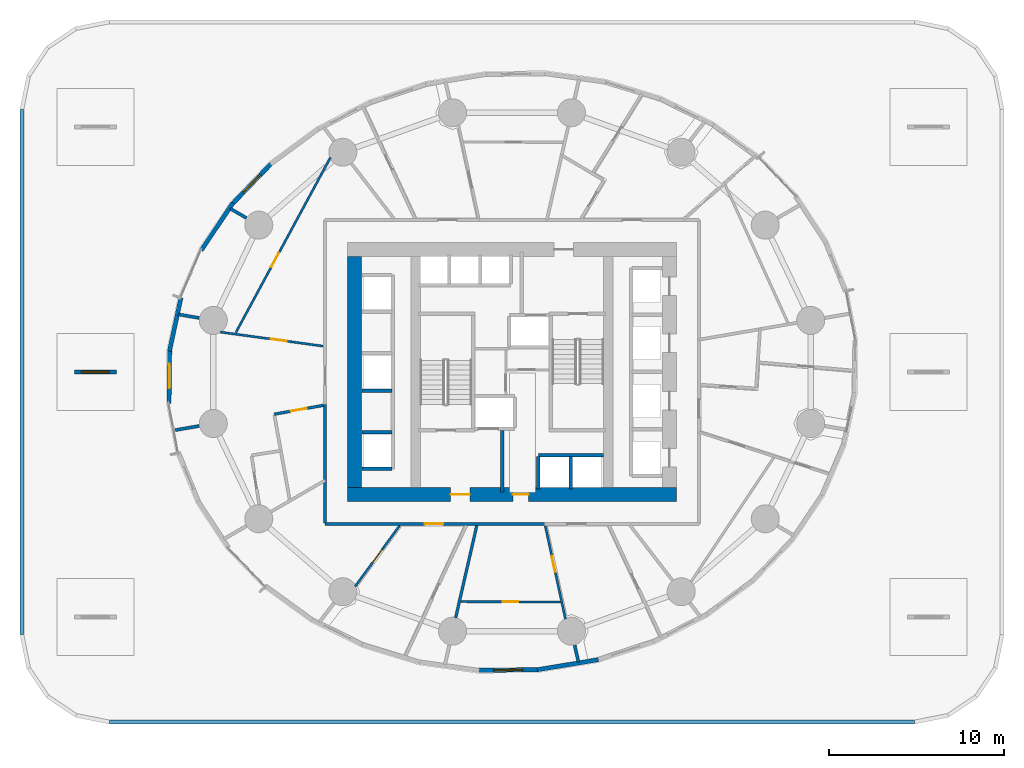
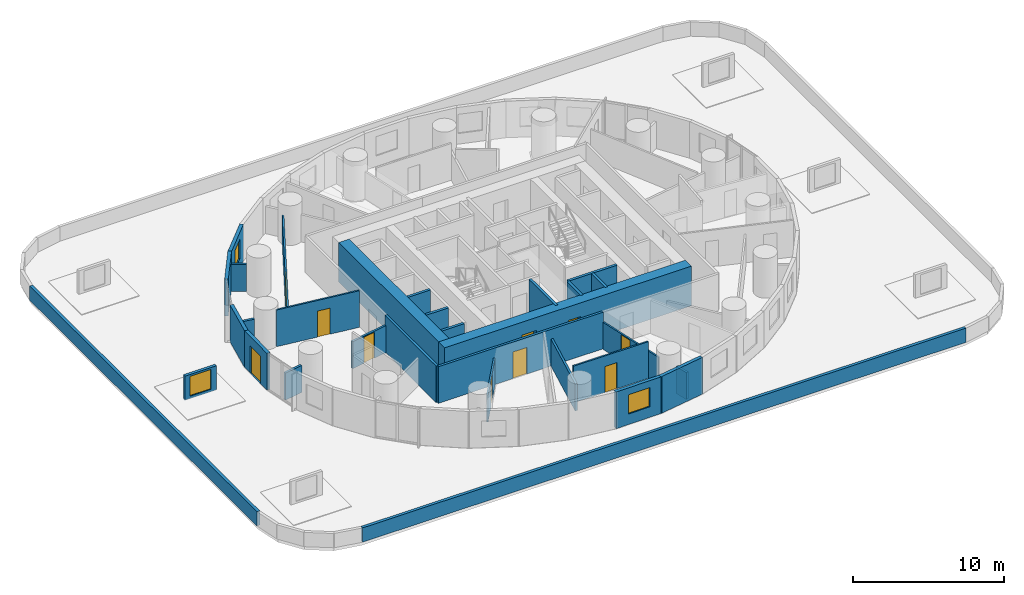
# One storey, part 6 of 12: 31 walls, 10 doors, 3 windows, 13 openings.
"""IFC4 building model written with IfcOpenShell, lengths in metres."""

from ifc_helpers import new_model, si_unit, direction, frame, frame_2d, origin, place, context, subcontext, project, spatial, rectangle, extrude, material, layer, layer_set, type_object, element, fill, save


model = new_model("IFC4")

# Units and contexts
model_context = context("Model", 3, precision=1e-05, world=origin(), true_north=direction((0.0, 1.0)))
body_context = subcontext(model_context, "Body", "Model", "MODEL_VIEW")
ifc_project = project(units=[si_unit("LENGTHUNIT", "METRE"), si_unit("AREAUNIT", "SQUARE_METRE"), si_unit("VOLUMEUNIT", "CUBIC_METRE"), si_unit("PLANEANGLEUNIT", "RADIAN"), si_unit("MASSUNIT", "GRAM", prefix="KILO")], contexts=[model_context])

# Site, building, storey
site_placement = place(None, origin())
site = spatial("IfcSite", under=ifc_project, at=site_placement, CompositionType="ELEMENT")
building_placement = place(site_placement, origin())
building = spatial("IfcBuilding", under=site, at=building_placement, Name="Veldorim Arch Residences", CompositionType="ELEMENT")
storey_placement = place(building_placement, frame((0.0, 0.0, 24.800048828125)))
storey = spatial("IfcBuildingStorey", under=building, at=storey_placement, Name="L06", CompositionType="ELEMENT", Elevation=24.800048828125)

# Wall, opening, door
ifc_material_1 = material(Name="Acoustic Gypsum Board", Category="gypsum")
ifc_layer_1 = layer(ifc_material_1, 0.125, Name="Acoustic Stud Room Partition Wall 125")
ifc_layer_set_1 = layer_set([ifc_layer_1], Name="Acoustic Gypsum Board")
wall_type_1 = type_object("IfcWallType", Name="Acoustic Stud Room Partition Wall 125", PredefinedType="PARTITIONING", material=ifc_layer_set_1)
wall_1_placement = place(storey_placement, frame((23.03759765625, 11.747314453125, 0.0), z_axis=(0.0, 0.0, 1.0), x_axis=(0.590387510638, 0.807119933642, 0.0)))
wall_1 = element("IfcWall", 1, at=wall_1_placement, inside=storey, type_object=wall_type_1, Name="L06 interior wall WL-RES-L06-009", PredefinedType="PARTITIONING", context=body_context, shape_type="SweptSolid", body=[
    extrude(rectangle(XDim=4.306396484375, YDim=0.125, at=frame_2d((2.1533203125, 0.0))), origin(), (0.0, 0.0, 1.0), 2.17822265625),
])
opening_1_placement = place(wall_1_placement, frame((1.703125, 0.0, 0.0)))
opening_1 = element("IfcOpeningElement", 2, at=opening_1_placement, cuts=wall_1, Name="Opening DR-INT", PredefinedType="OPENING", context=body_context, shape_type="SweptSolid", body=[
    extrude(rectangle(XDim=0.89990234375, YDim=2.10009765625, at=frame_2d((0.449951171875, 1.050048828125))), frame((0.0, 0.072509765625, 0.0), z_axis=(0.0, -1.0, 0.0), x_axis=(1.0, 0.0, 0.0)), (0.0, 0.0, 1.0), 0.14501953125),
])
ifc_material_2 = material(Name="Engineered Timber", Category="wood")
door_type_1 = type_object("IfcDoorType", Name="Apartment Internal Room Timber Door 900x2100", OperationType="SINGLE_SWING_LEFT", PredefinedType="DOOR", material=ifc_material_2)
door_1_placement = place(opening_1_placement, origin())
door_1 = element("IfcDoor", 3, at=door_1_placement, inside=storey, type_object=door_type_1, Name="L06 interior door DR-RES-L06-003", OperationType="SINGLE_SWING_LEFT", OverallHeight=2.10009765625, OverallWidth=0.89990234375, PredefinedType="DOOR", context=body_context, shape_type="SweptSolid", body=[
    extrude(rectangle(XDim=0.89990234375, YDim=2.10009765625, at=frame_2d((0.449951171875, 1.050048828125))), frame((0.0, 0.02490234375, 0.0), z_axis=(0.0, -1.0, 0.0), x_axis=(1.0, 0.0, 0.0)), (0.0, 0.0, 1.0), 0.050048828125),
])
fill(opening_1, door_1)

wall_2_placement = place(storey_placement, frame((35.05419921875, 9.879150390625, 0.0), z_axis=(0.0, 0.0, 1.0), x_axis=(-0.211435796324, 0.977391888667, 0.0)))
wall_2 = element("IfcWall", 4, at=wall_2_placement, inside=storey, type_object=wall_type_1, Name="L06 interior wall WL-RES-L06-013", PredefinedType="PARTITIONING", context=body_context, shape_type="SweptSolid", body=[
    extrude(rectangle(XDim=5.446533203125, YDim=0.125, at=frame_2d((2.72314453125, 0.0))), origin(), (0.0, 0.0, 1.0), 2.17822265625),
])
opening_2_placement = place(wall_2_placement, frame((2.76171875, 0.0, 0.0)))
opening_2 = element("IfcOpeningElement", 5, at=opening_2_placement, cuts=wall_2, Name="Opening DR-INT", PredefinedType="OPENING", context=body_context, shape_type="SweptSolid", body=[
    extrude(rectangle(XDim=0.89990234375, YDim=2.10009765625, at=frame_2d((0.449951171875, 1.050048828125))), frame((0.0, 0.072509765625, 0.0), z_axis=(0.0, -1.0, 0.0), x_axis=(1.0, 0.0, 0.0)), (0.0, 0.0, 1.0), 0.14501953125),
])
door_2_placement = place(opening_2_placement, origin())
door_2 = element("IfcDoor", 6, at=door_2_placement, inside=storey, type_object=door_type_1, Name="L06 interior door DR-RES-L06-006", OperationType="SINGLE_SWING_RIGHT", OverallHeight=2.10009765625, OverallWidth=0.89990234375, PredefinedType="DOOR", context=body_context, shape_type="SweptSolid", body=[
    extrude(rectangle(XDim=0.89990234375, YDim=2.10009765625, at=frame_2d((0.449951171875, 1.050048828125))), frame((0.0, 0.02490234375, 0.0), z_axis=(0.0, -1.0, 0.0), x_axis=(1.0, 0.0, 0.0)), (0.0, 0.0, 1.0), 0.050048828125),
])
fill(opening_2, door_2)

wall_3_placement = place(storey_placement, frame((34.763427734375, 10.853515625, 0.0), z_axis=(0.0, 0.0, 1.0), x_axis=(-0.999989854874, 0.004504458806, 0.0)))
wall_3 = element("IfcWall", 7, at=wall_3_placement, inside=storey, type_object=wall_type_1, Name="L06 interior wall WL-RES-L06-015", PredefinedType="PARTITIONING", context=body_context, shape_type="SweptSolid", body=[
    extrude(rectangle(XDim=5.69091796875, YDim=0.125, at=frame_2d((2.845458984375, 0.0))), origin(), (0.0, 0.0, 1.0), 2.954833984375),
])
opening_3_placement = place(wall_3_placement, frame((2.3955078125, 0.0, 0.0)))
opening_3 = element("IfcOpeningElement", 8, at=opening_3_placement, cuts=wall_3, Name="Opening DR-INT", PredefinedType="OPENING", context=body_context, shape_type="SweptSolid", body=[
    extrude(rectangle(XDim=0.89990234375, YDim=2.10009765625, at=frame_2d((0.449951171875, 1.050048828125))), frame((0.0, 0.072509765625, 0.0), z_axis=(0.0, -1.0, 0.0), x_axis=(1.0, 0.0, 0.0)), (0.0, 0.0, 1.0), 0.14501953125),
])
door_3_placement = place(opening_3_placement, origin())
door_3 = element("IfcDoor", 9, at=door_3_placement, inside=storey, type_object=door_type_1, Name="L06 interior door DR-RES-L06-007", OperationType="SINGLE_SWING_LEFT", OverallHeight=2.10009765625, OverallWidth=0.89990234375, PredefinedType="DOOR", context=body_context, shape_type="SweptSolid", body=[
    extrude(rectangle(XDim=0.89990234375, YDim=2.10009765625, at=frame_2d((0.449951171875, 1.050048828125))), frame((0.0, 0.02490234375, 0.0), z_axis=(0.0, -1.0, 0.0), x_axis=(1.0, 0.0, 0.0)), (0.0, 0.0, 1.0), 0.050048828125),
])
fill(opening_3, door_3)

wall_4_placement = place(storey_placement, frame((15.330322265625, 26.280029296875, 0.0), z_axis=(0.0, 0.0, 1.0), x_axis=(0.990775681502, -0.135512172681, 0.0)))
wall_4 = element("IfcWall", 10, at=wall_4_placement, inside=storey, type_object=wall_type_1, Name="L06 interior wall WL-RES-L06-034", PredefinedType="PARTITIONING", context=body_context, shape_type="SweptSolid", body=[
    extrude(rectangle(XDim=5.925537109375, YDim=0.125, at=frame_2d((2.962890625, 0.0))), origin(), (0.0, 0.0, 1.0), 2.954833984375),
])
opening_4_placement = place(wall_4_placement, frame((2.928955078125, 0.0, 0.0)))
opening_4 = element("IfcOpeningElement", 11, at=opening_4_placement, cuts=wall_4, Name="Opening DR-INT", PredefinedType="OPENING", context=body_context, shape_type="SweptSolid", body=[
    extrude(rectangle(XDim=0.89990234375, YDim=2.10009765625, at=frame_2d((0.449951171875, 1.050048828125))), frame((0.0, 0.072509765625, 0.0), z_axis=(0.0, -1.0, 0.0), x_axis=(1.0, 0.0, 0.0)), (0.0, 0.0, 1.0), 0.14501953125),
])
door_4_placement = place(opening_4_placement, origin())
door_4 = element("IfcDoor", 12, at=door_4_placement, inside=storey, type_object=door_type_1, Name="L06 interior door DR-RES-L06-024", OperationType="SINGLE_SWING_RIGHT", OverallHeight=2.10009765625, OverallWidth=0.89990234375, PredefinedType="DOOR", context=body_context, shape_type="SweptSolid", body=[
    extrude(rectangle(XDim=0.89990234375, YDim=2.10009765625, at=frame_2d((0.449951171875, 1.050048828125))), frame((0.0, 0.02490234375, 0.0), z_axis=(0.0, -1.0, 0.0), x_axis=(1.0, 0.0, 0.0)), (0.0, 0.0, 1.0), 0.050048828125),
])
fill(opening_4, door_4)

wall_5_placement = place(storey_placement, frame((16.22216796875, 26.25244140625, 0.0), z_axis=(0.0, 0.0, 1.0), x_axis=(0.475374660533, 0.879783457519, 0.0)))
wall_5 = element("IfcWall", 13, at=wall_5_placement, inside=storey, type_object=wall_type_1, Name="L06 interior wall WL-RES-L06-037", PredefinedType="PARTITIONING", context=body_context, shape_type="SweptSolid", body=[
    extrude(rectangle(XDim=11.3701171875, YDim=0.125, at=frame_2d((5.68505859375, 0.0))), origin(), (0.0, 0.0, 1.0), 2.32763671875),
])
opening_5_placement = place(wall_5_placement, frame((4.2548828125, 0.0, 0.0)))
opening_5 = element("IfcOpeningElement", 14, at=opening_5_placement, cuts=wall_5, Name="Opening DR-INT", PredefinedType="OPENING", context=body_context, shape_type="SweptSolid", body=[
    extrude(rectangle(XDim=0.89990234375, YDim=2.10009765625, at=frame_2d((0.449951171875, 1.050048828125))), frame((0.0, 0.072509765625, 0.0), z_axis=(0.0, -1.0, 0.0), x_axis=(1.0, 0.0, 0.0)), (0.0, 0.0, 1.0), 0.14501953125),
])
door_5_placement = place(opening_5_placement, origin())
door_5 = element("IfcDoor", 15, at=door_5_placement, inside=storey, type_object=door_type_1, Name="L06 interior door DR-RES-L06-025", OperationType="SINGLE_SWING_LEFT", OverallHeight=2.10009765625, OverallWidth=0.89990234375, PredefinedType="DOOR", context=body_context, shape_type="SweptSolid", body=[
    extrude(rectangle(XDim=0.89990234375, YDim=2.10009765625, at=frame_2d((0.449951171875, 1.050048828125))), frame((0.0, 0.02490234375, 0.0), z_axis=(0.0, -1.0, 0.0), x_axis=(1.0, 0.0, 0.0)), (0.0, 0.0, 1.0), 0.050048828125),
])
fill(opening_5, door_5)

# Walls
ifc_material_3 = material(Name="Lightweight Masonry Block & Gypsum", Category="masonry")
ifc_layer_2 = layer(ifc_material_3, 0.179931640625, Name="Compartment & Corridor Fire-Rated Party Wall 180")
ifc_layer_set_2 = layer_set([ifc_layer_2], Name="Lightweight Masonry Block & Gypsum")
wall_type_2 = type_object("IfcWallType", Name="Compartment & Corridor Fire-Rated Party Wall 180", PredefinedType="PARTITIONING", material=ifc_layer_set_2)
wall_6_placement = place(storey_placement, frame((16.822998046875, 32.80029296875, 0.0), z_axis=(0.0, 0.0, 1.0), x_axis=(-0.865001274409, 0.501769663562, 0.0)))
element("IfcWall", 16, at=wall_6_placement, inside=storey, type_object=wall_type_2, Name="L06 interior wall WL-PIER-L06-07", PredefinedType="PARTITIONING", context=body_context, shape_type="SweptSolid", body=[
    extrude(rectangle(XDim=1.062744140625, YDim=0.179931640625, at=frame_2d((0.53125, 0.0))), origin(), (0.0, 0.0, 1.0), 2.17822265625),
])
wall_7_placement = place(storey_placement, frame((14.126220703125, 27.08544921875, 0.0), z_axis=(0.0, 0.0, 1.0), x_axis=(-0.985412344637, 0.170183756676, 0.0)))
element("IfcWall", 17, at=wall_7_placement, inside=storey, type_object=wall_type_2, Name="L06 interior wall WL-PIER-L06-08", PredefinedType="PARTITIONING", context=body_context, shape_type="SweptSolid", body=[
    extrude(rectangle(XDim=1.210693359375, YDim=0.179931640625, at=frame_2d((0.60546875, 0.0))), origin(), (0.0, 0.0, 1.0), 2.17822265625),
])
wall_8_placement = place(storey_placement, frame((14.126220703125, 20.91455078125, 0.0), z_axis=(0.0, 0.0, 1.0), x_axis=(-0.985429571056, -0.170083980696, 0.0)))
element("IfcWall", 18, at=wall_8_placement, inside=storey, type_object=wall_type_2, Name="L06 interior wall WL-PIER-L06-09", PredefinedType="PARTITIONING", context=body_context, shape_type="SweptSolid", body=[
    extrude(rectangle(XDim=1.38525390625, YDim=0.179931640625, at=frame_2d((0.692626953125, 0.0))), origin(), (0.0, 0.0, 1.0), 2.17822265625),
])
wall_9_placement = place(storey_placement, frame((35.577880859375, 8.390869140625, 0.0), z_axis=(0.0, 0.0, 1.0), x_axis=(0.223200215289, -0.974772621638, 0.0)))
element("IfcWall", 19, at=wall_9_placement, inside=storey, type_object=wall_type_2, Name="L06 interior wall WL-PIER-L06-13", PredefinedType="PARTITIONING", context=body_context, shape_type="SweptSolid", body=[
    extrude(rectangle(XDim=0.98876953125, YDim=0.179931640625, at=frame_2d((0.494384765625, 0.0))), origin(), (0.0, 0.0, 1.0), 2.17822265625),
])

# Wall, opening, door
wall_10_placement = place(storey_placement, frame((33.897705078125, 15.320068359375, 0.0), z_axis=(0.0, 0.0, 1.0), x_axis=(-1.0, 0.0, 0.0)))
wall_10 = element("IfcWall", 20, at=wall_10_placement, inside=storey, type_object=wall_type_2, Name="L06 interior wall WL-RES-L06-001", PredefinedType="PARTITIONING", context=body_context, shape_type="SweptSolid", body=[
    extrude(rectangle(XDim=12.57763671875, YDim=0.179931640625, at=frame_2d((6.288818359375, 0.0))), origin(), (0.0, 0.0, 1.0), 2.954833984375),
])
opening_6_placement = place(wall_10_placement, frame((5.83349609375, 0.0, 0.0)))
opening_6 = element("IfcOpeningElement", 21, at=opening_6_placement, cuts=wall_10, Name="Opening DR-FLT", PredefinedType="OPENING", context=body_context, shape_type="SweptSolid", body=[
    extrude(rectangle(XDim=1.050048828125, YDim=2.14990234375, at=frame_2d((0.52490234375, 1.074951171875))), frame((0.0, 0.099853515625, 0.0), z_axis=(0.0, -1.0, 0.0), x_axis=(1.0, 0.0, 0.0)), (0.0, 0.0, 1.0), 0.199951171875),
])
ifc_material_4 = material(Name="Fire-Rated Timber", Category="wood")
door_type_2 = type_object("IfcDoorType", Name="Apartment Entrance Solid-Core Fire Door 1050x2150", OperationType="SINGLE_SWING_LEFT", PredefinedType="DOOR", material=ifc_material_4)
door_6_placement = place(opening_6_placement, origin())
door_6 = element("IfcDoor", 22, at=door_6_placement, inside=storey, type_object=door_type_2, Name="L06 interior door DR-RES-L06-001", OperationType="SINGLE_SWING_LEFT", OverallHeight=2.14990234375, OverallWidth=1.050048828125, PredefinedType="DOOR", context=body_context, shape_type="SweptSolid", body=[
    extrude(rectangle(XDim=1.050048828125, YDim=2.14990234375, at=frame_2d((0.52490234375, 1.074951171875))), frame((0.0, 0.02490234375, 0.0), z_axis=(0.0, -1.0, 0.0), x_axis=(1.0, 0.0, 0.0)), (0.0, 0.0, 1.0), 0.050048828125),
])
fill(opening_6, door_6)

# Walls
wall_11_placement = place(storey_placement, frame((21.320068359375, 15.3798828125, 0.0), z_axis=(0.0, 0.0, 1.0), x_axis=(0.0, 1.0, 0.0)))
element("IfcWall", 23, at=wall_11_placement, inside=storey, type_object=wall_type_2, Name="L06 interior wall WL-RES-L06-002", PredefinedType="PARTITIONING", context=body_context, shape_type="SweptSolid", body=[
    extrude(rectangle(XDim=6.74853515625, YDim=0.179931640625, at=frame_2d((3.374267578125, 0.0))), origin(), (0.0, 0.0, 1.0), 2.954833984375),
])
ifc_material_5 = material(Name="Concrete C50/60", Category="concrete")
ifc_layer_3 = layer(ifc_material_5, 0.199951171875, Name="Core Stair & Lift Shaft Enclosure Wall 200")
ifc_layer_set_3 = layer_set([ifc_layer_3], Name="Concrete C50/60")
wall_type_3 = type_object("IfcWallType", Name="Core Stair & Lift Shaft Enclosure Wall 200", PredefinedType="SHEAR", material=ifc_layer_set_3)
wall_12_placement = place(storey_placement, frame((31.449951171875, 17.14990234375, 0.0), z_axis=(0.0, 0.0, 1.0), x_axis=(0.0, 1.0, 0.0)))
element("IfcWall", 24, at=wall_12_placement, inside=storey, type_object=wall_type_3, Name="L06 shaft wall WL-FFL1-L06-E", PredefinedType="SHEAR", context=body_context, shape_type="SweptSolid", body=[
    extrude(rectangle(XDim=3.5, YDim=0.199951171875, at=frame_2d((1.75, 0.0))), origin(), (0.0, 0.0, 1.0), 3.199951171875),
])
for number, where, z_axis, x_axis, name in (
    (25, (23.419921875, 18.4599609375, 0.0), (0.0, 0.0, 1.0), (1.0, 0.0, 0.0), "L06 shaft wall WL-B2-L06-S"),
    (26, (23.419921875, 20.56005859375, 0.0), (0.0, 0.0, 1.0), (1.0, 0.0, 0.0), "L06 shaft wall WL-B2-L06-D1A"),
    (27, (23.419921875, 22.93994140625, 0.0), (0.0, 0.0, 1.0), (1.0, 0.0, 0.0), "L06 shaft wall WL-B2-L06-D1B"),
):
    element("IfcWall", number, at=place(storey_placement, frame(where, z_axis=z_axis, x_axis=x_axis)), inside=storey, type_object=wall_type_3, Name=name, PredefinedType="SHEAR", context=body_context, shape_type="SweptSolid", body=[
        extrude(rectangle(XDim=1.7099609375, YDim=0.199951171875, at=frame_2d((0.85498046875, 0.0))), origin(), (0.0, 0.0, 1.0), 3.199951171875),
    ])
wall_13_placement = place(storey_placement, frame((33.5, 19.25, 0.0), z_axis=(0.0, 0.0, 1.0), x_axis=(1.0, 0.0, 0.0)))
element("IfcWall", 28, at=wall_13_placement, inside=storey, type_object=wall_type_3, Name="L06 shaft wall WL-OL-L06-N", PredefinedType="SHEAR", context=body_context, shape_type="SweptSolid", body=[
    extrude(rectangle(XDim=3.719970703125, YDim=0.199951171875, at=frame_2d((1.85986328125, 0.0))), origin(), (0.0, 0.0, 1.0), 3.199951171875),
])
for number, where, z_axis, x_axis, name in (
    (29, (33.5, 17.320068359375, 0.0), (0.0, 0.0, 1.0), (0.0, 1.0, 0.0), "L06 shaft wall WL-OL-L06-W"),
    (30, (35.35009765625, 17.320068359375, 0.0), (0.0, 0.0, 1.0), (0.0, 1.0, 0.0), "L06 shaft wall WL-OL-L06-D1"),
):
    element("IfcWall", number, at=place(storey_placement, frame(where, z_axis=z_axis, x_axis=x_axis)), inside=storey, type_object=wall_type_3, Name=name, PredefinedType="SHEAR", context=body_context, shape_type="SweptSolid", body=[
        extrude(rectangle(XDim=1.85986328125, YDim=0.199951171875, at=frame_2d((0.929931640625, 0.0))), origin(), (0.0, 0.0, 1.0), 3.199951171875),
    ])

# Wall, openings, doors
ifc_material_6 = material(Name="Concrete C60/75", Category="concrete")
ifc_layer_4 = layer(ifc_material_6, 0.800048828125, Name="Lower Central Core Shear Wall 800")
ifc_layer_set_4 = layer_set([ifc_layer_4], Name="Concrete C60/75")
wall_type_4 = type_object("IfcWallType", Name="Lower Central Core Shear Wall 800", PredefinedType="SHEAR", material=ifc_layer_set_4)
wall_14_placement = place(storey_placement, frame((22.60009765625, 17.0, 0.0), z_axis=(0.0, 0.0, 1.0), x_axis=(1.0, 0.0, 0.0)))
wall_14 = element("IfcWall", 31, at=wall_14_placement, inside=storey, type_object=wall_type_4, Name="L06 central core south shear wall", PredefinedType="SHEAR", context=body_context, shape_type="SweptSolid", body=[
    extrude(rectangle(XDim=18.7998046875, YDim=0.800048828125, at=frame_2d((9.39990234375, 0.0))), origin(), (0.0, 0.0, 1.0), 3.199951171875),
])
opening_7_placement = place(wall_14_placement, frame((5.89990234375, 0.0, 0.0)))
opening_7 = element("IfcOpeningElement", 32, at=opening_7_placement, cuts=wall_14, Name="Opening DR-FFL", PredefinedType="OPENING", context=body_context, shape_type="SweptSolid", body=[
    extrude(rectangle(XDim=1.10009765625, YDim=2.14990234375, at=frame_2d((0.550048828125, 1.074951171875))), frame((0.0, 0.409912109375, 0.0), z_axis=(0.0, -1.0, 0.0), x_axis=(1.0, 0.0, 0.0)), (0.0, 0.0, 1.0), 0.820068359375),
])
opening_8_placement = place(wall_14_placement, frame((9.449951171875, 0.0, 0.0)))
opening_8 = element("IfcOpeningElement", 33, at=opening_8_placement, cuts=wall_14, Name="Opening DR-SVC", PredefinedType="OPENING", context=body_context, shape_type="SweptSolid", body=[
    extrude(rectangle(XDim=0.89990234375, YDim=2.10009765625, at=frame_2d((0.449951171875, 1.050048828125))), frame((0.0, 0.409912109375, 0.0), z_axis=(0.0, -1.0, 0.0), x_axis=(1.0, 0.0, 0.0)), (0.0, 0.0, 1.0), 0.820068359375),
])
ifc_material_7 = material(Name="Fire-Rated Steel & Vision Glass", Category="steel")
door_type_3 = type_object("IfcDoorType", Name="Firefighting Lobby Smoke-Stop Fire Door 1100x2150", OperationType="SINGLE_SWING_LEFT", PredefinedType="DOOR", material=ifc_material_7)
door_7_placement = place(opening_7_placement, origin())
door_7 = element("IfcDoor", 34, at=door_7_placement, inside=storey, type_object=door_type_3, Name="L06 interior door DR-L06-FFL1", OperationType="SINGLE_SWING_RIGHT", OverallHeight=2.14990234375, OverallWidth=1.10009765625, PredefinedType="DOOR", context=body_context, shape_type="SweptSolid", body=[
    extrude(rectangle(XDim=1.10009765625, YDim=2.14990234375, at=frame_2d((0.550048828125, 1.074951171875))), frame((0.0, 0.02490234375, 0.0), z_axis=(0.0, -1.0, 0.0), x_axis=(1.0, 0.0, 0.0)), (0.0, 0.0, 1.0), 0.050048828125),
])
fill(opening_7, door_7)
ifc_material_8 = material(Name="Fire-Rated Steel", Category="steel")
door_type_4 = type_object("IfcDoorType", Name="Riser, Shelter & Plant Room Rated Steel Door 900x2100", OperationType="SINGLE_SWING_LEFT", PredefinedType="DOOR", material=ifc_material_8)
door_8_placement = place(opening_8_placement, origin())
door_8 = element("IfcDoor", 35, at=door_8_placement, inside=storey, type_object=door_type_4, Name="L06 interior door DR-L06-COR-ANC", OperationType="SINGLE_SWING_LEFT", OverallHeight=2.10009765625, OverallWidth=0.89990234375, PredefinedType="DOOR", context=body_context, shape_type="SweptSolid", body=[
    extrude(rectangle(XDim=0.89990234375, YDim=2.10009765625, at=frame_2d((0.449951171875, 1.050048828125))), frame((0.0, 0.02490234375, 0.0), z_axis=(0.0, -1.0, 0.0), x_axis=(1.0, 0.0, 0.0)), (0.0, 0.0, 1.0), 0.050048828125),
])
fill(opening_8, door_8)

# Walls
wall_15_placement = place(storey_placement, frame((23.0, 17.39990234375, 0.0), z_axis=(0.0, 0.0, 1.0), x_axis=(0.0, 1.0, 0.0)))
element("IfcWall", 36, at=wall_15_placement, inside=storey, type_object=wall_type_4, Name="L06 central core west shear wall", PredefinedType="SHEAR", context=body_context, shape_type="SweptSolid", body=[
    extrude(rectangle(XDim=13.2001953125, YDim=0.800048828125, at=frame_2d((6.60009765625, 0.0))), origin(), (0.0, 0.0, 1.0), 3.199951171875),
])
ifc_material_9 = material(Name="Precast concrete C40/50", Category="concrete")
ifc_layer_5 = layer(ifc_material_9, 0.219970703125, Name="Terrace & Refuge Perimeter Parapet Wall 220")
ifc_layer_set_5 = layer_set([ifc_layer_5], Name="Precast concrete C40/50")
wall_type_5 = type_object("IfcWallType", Name="Terrace & Refuge Perimeter Parapet Wall 220", PredefinedType="PARAPET", material=ifc_layer_set_5)
wall_16_placement = place(storey_placement, frame((4.0, 9.0, 0.0), z_axis=(0.0, 0.0, 1.0), x_axis=(0.0, 1.0, 0.0)))
element("IfcWall", 37, at=wall_16_placement, inside=storey, type_object=wall_type_5, Name="L06 podium roof garden perimeter parapet 14", PredefinedType="PARAPET", context=body_context, shape_type="SweptSolid", body=[
    extrude(rectangle(XDim=30.0, YDim=0.219970703125, at=frame_2d((15.0, 0.0))), origin(), (0.0, 0.0, 1.0), 1.14990234375),
])
wall_17_placement = place(storey_placement, frame((55.0, 4.0, 0.0), z_axis=(0.0, 0.0, 1.0), x_axis=(-1.0, 0.0, 0.0)))
element("IfcWall", 38, at=wall_17_placement, inside=storey, type_object=wall_type_5, Name="L06 podium roof garden perimeter parapet 19", PredefinedType="PARAPET", context=body_context, shape_type="SweptSolid", body=[
    extrude(rectangle(XDim=46.0, YDim=0.219970703125, at=frame_2d((23.0, 0.0))), origin(), (0.0, 0.0, 1.0), 1.14990234375),
])

# Wall, opening, window
wall_18_placement = place(storey_placement, frame((7.0, 24.0, 0.0), z_axis=(0.0, 0.0, 1.0), x_axis=(1.0, 0.0, 0.0)))
wall_18 = element("IfcWall", 39, at=wall_18_placement, inside=storey, type_object=wall_type_5, Name="L06 clinic atrium skylight monitor wall 02", PredefinedType="PARAPET", context=body_context, shape_type="SweptSolid", body=[
    extrude(rectangle(XDim=2.39990234375, YDim=0.219970703125, at=frame_2d((1.199951171875, 0.0))), origin(), (0.0, 0.0, 1.0), 1.949951171875),
])
opening_9_placement = place(wall_18_placement, frame((0.39990234375, 0.0, 0.199951171875)))
opening_9 = element("IfcOpeningElement", 40, at=opening_9_placement, cuts=wall_18, Name="Opening SK-01", PredefinedType="OPENING", context=body_context, shape_type="SweptSolid", body=[
    extrude(rectangle(XDim=1.60009765625, YDim=1.60009765625, at=frame_2d((0.800048828125, 0.800048828125))), frame((0.0, 0.119873046875, 0.0), z_axis=(0.0, -1.0, 0.0), x_axis=(1.0, 0.0, 0.0)), (0.0, 0.0, 1.0), 0.239990234375),
])
ifc_material_10 = material(Name="Laminated Low-E Glass", Category="glass")
window_type_1 = type_object("IfcWindowType", Name="Podium Roof Framed Skylight 1600x1600", PartitioningType="SINGLE_PANEL", PredefinedType="SKYLIGHT", material=ifc_material_10)
window_1_placement = place(opening_9_placement, origin())
window_1 = element("IfcWindow", 41, at=window_1_placement, inside=storey, type_object=window_type_1, Name="L06 polyclinic roof skylight 02", OverallHeight=1.60009765625, OverallWidth=1.60009765625, PartitioningType="SINGLE_PANEL", PredefinedType="SKYLIGHT", context=body_context, shape_type="SweptSolid", body=[
    extrude(rectangle(XDim=1.60009765625, YDim=1.60009765625, at=frame_2d((0.800048828125, 0.800048828125))), frame((0.0, 0.030029296875, 0.0), z_axis=(0.0, -1.0, 0.0), x_axis=(1.0, 0.0, 0.0)), (0.0, 0.0, 1.0), 0.06005859375),
])
fill(opening_9, window_1)

ifc_material_11 = material(Name="Precast concrete C40/50", Category="concrete")
ifc_layer_6 = layer(ifc_material_11, 0.25, Name="Tower Terracotta Spandrel & Pier Wall 250")
ifc_layer_set_6 = layer_set([ifc_layer_6], Name="Precast concrete C40/50")
wall_type_6 = type_object("IfcWallType", Name="Tower Terracotta Spandrel & Pier Wall 250", PredefinedType="SOLIDWALL", material=ifc_layer_set_6)
wall_19_placement = place(storey_placement, frame((15.978515625, 33.5615234375, 0.0), z_axis=(0.0, 0.0, 1.0), x_axis=(0.694392538781, 0.719596416115, 0.0)))
wall_19 = element("IfcWall", 42, at=wall_19_placement, inside=storey, type_object=wall_type_6, Name="L06 terracotta facade wall 14", PredefinedType="SOLIDWALL", context=body_context, shape_type="SweptSolid", body=[
    extrude(rectangle(XDim=3.322509765625, YDim=0.25, at=frame_2d((1.6611328125, 0.0))), origin(), (0.0, 0.0, 1.0), 2.9599609375),
])
opening_10_placement = place(wall_19_placement, frame((0.9609375, 0.0, 0.85009765625)))
opening_10 = element("IfcOpeningElement", 43, at=opening_10_placement, cuts=wall_19, Name="Opening WN-02", PredefinedType="OPENING", context=body_context, shape_type="SweptSolid", body=[
    extrude(rectangle(XDim=1.39990234375, YDim=1.550048828125, at=frame_2d((0.699951171875, 0.77490234375))), frame((0.0, 0.135009765625, 0.0), z_axis=(0.0, -1.0, 0.0), x_axis=(1.0, 0.0, 0.0)), (0.0, 0.0, 1.0), 0.27001953125),
])
ifc_material_12 = material(Name="Laminated Low-E Glass", Category="glass")
window_type_2 = type_object("IfcWindowType", Name="Residential Casement Window 1400x1550", PartitioningType="SINGLE_PANEL", PredefinedType="WINDOW", material=ifc_material_12)
window_2_placement = place(opening_10_placement, origin())
window_2 = element("IfcWindow", 44, at=window_2_placement, inside=storey, type_object=window_type_2, Name="L06 solar-control facade window 14", OverallHeight=1.550048828125, OverallWidth=1.39990234375, PartitioningType="SINGLE_PANEL", PredefinedType="WINDOW", context=body_context, shape_type="SweptSolid", body=[
    extrude(rectangle(XDim=1.39990234375, YDim=1.550048828125, at=frame_2d((0.699951171875, 0.77490234375))), frame((0.0, 0.030029296875, 0.0), z_axis=(0.0, -1.0, 0.0), x_axis=(1.0, 0.0, 0.0)), (0.0, 0.0, 1.0), 0.06005859375),
])
fill(opening_10, window_2)

# Walls
wall_20_placement = place(storey_placement, frame((14.2421875, 30.953369140625, 0.0), z_axis=(0.0, 0.0, 1.0), x_axis=(0.556764929833, 0.83067009872, 0.0)))
element("IfcWall", 45, at=wall_20_placement, inside=storey, type_object=wall_type_6, Name="L06 terracotta facade wall 15", PredefinedType="SOLIDWALL", context=body_context, shape_type="SweptSolid", body=[
    extrude(rectangle(XDim=3.244384765625, YDim=0.25, at=frame_2d((1.6220703125, 0.0))), origin(), (0.0, 0.0, 1.0), 2.9599609375),
])
wall_21_placement = place(storey_placement, frame((12.426513671875, 25.19189453125, 0.0), z_axis=(0.0, 0.0, 1.0), x_axis=(0.209668000253, 0.977772637002, 0.0)))
element("IfcWall", 46, at=wall_21_placement, inside=storey, type_object=wall_type_6, Name="L06 terracotta facade wall 17", PredefinedType="SOLIDWALL", context=body_context, shape_type="SweptSolid", body=[
    extrude(rectangle(XDim=3.12060546875, YDim=0.25, at=frame_2d((1.560302734375, 0.0))), origin(), (0.0, 0.0, 1.0), 2.9599609375),
])

# Wall, opening, door
wall_22_placement = place(storey_placement, frame((12.40087890625, 22.214111328125, 0.0), z_axis=(0.0, 0.0, 1.0), x_axis=(0.012397373015, 0.999923149618, 0.0)))
wall_22 = element("IfcWall", 47, at=wall_22_placement, inside=storey, type_object=wall_type_6, Name="L06 terracotta facade wall 18", PredefinedType="SOLIDWALL", context=body_context, shape_type="SweptSolid", body=[
    extrude(rectangle(XDim=3.091796875, YDim=0.25, at=frame_2d((1.5458984375, 0.0))), origin(), (0.0, 0.0, 1.0), 2.9599609375),
])
opening_11_placement = place(wall_22_placement, frame((0.845947265625, 0.0, 0.0)))
opening_11 = element("IfcOpeningElement", 48, at=opening_11_placement, cuts=wall_22, Name="Opening TR-DR", PredefinedType="OPENING", context=body_context, shape_type="SweptSolid", body=[
    extrude(rectangle(XDim=1.39990234375, YDim=2.199951171875, at=frame_2d((0.699951171875, 1.10009765625))), frame((0.0, 0.135009765625, 0.0), z_axis=(0.0, -1.0, 0.0), x_axis=(1.0, 0.0, 0.0)), (0.0, 0.0, 1.0), 0.27001953125),
])
ifc_material_13 = material(Name="Aluminium & Low-E Glass", Category="aluminium")
door_type_5 = type_object("IfcDoorType", Name="Podium Wellness Terrace Glazed Door 1400x2200", OperationType="SINGLE_SWING_LEFT", PredefinedType="DOOR", material=ifc_material_13)
door_9_placement = place(opening_11_placement, origin())
door_9 = element("IfcDoor", 49, at=door_9_placement, inside=storey, type_object=door_type_5, Name="L06 glazed outdoor terrace door PODW", OperationType="SINGLE_SWING_RIGHT", OverallHeight=2.199951171875, OverallWidth=1.39990234375, PredefinedType="DOOR", context=body_context, shape_type="SweptSolid", body=[
    extrude(rectangle(XDim=1.39990234375, YDim=2.199951171875, at=frame_2d((0.699951171875, 1.10009765625))), frame((0.0, 0.02490234375, 0.0), z_axis=(0.0, -1.0, 0.0), x_axis=(1.0, 0.0, 0.0)), (0.0, 0.0, 1.0), 0.050048828125),
])
fill(opening_11, door_9)

# Wall, opening, window
wall_23_placement = place(storey_placement, frame((33.554443359375, 6.991943359375, 0.0), z_axis=(0.0, 0.0, 1.0), x_axis=(-0.999927087517, -0.012075580727, 0.0)))
wall_23 = element("IfcWall", 50, at=wall_23_placement, inside=storey, type_object=wall_type_6, Name="L06 terracotta facade wall 27", PredefinedType="SOLIDWALL", context=body_context, shape_type="SweptSolid", body=[
    extrude(rectangle(XDim=3.5380859375, YDim=0.25, at=frame_2d((1.76904296875, 0.0))), origin(), (0.0, 0.0, 1.0), 2.9599609375),
])
opening_12_placement = place(wall_23_placement, frame((0.944091796875, 0.0, 0.85009765625)))
opening_12 = element("IfcOpeningElement", 51, at=opening_12_placement, cuts=wall_23, Name="Opening WN-03", PredefinedType="OPENING", context=body_context, shape_type="SweptSolid", body=[
    extrude(rectangle(XDim=1.64990234375, YDim=1.550048828125, at=frame_2d((0.824951171875, 0.77490234375))), frame((0.0, 0.135009765625, 0.0), z_axis=(0.0, -1.0, 0.0), x_axis=(1.0, 0.0, 0.0)), (0.0, 0.0, 1.0), 0.27001953125),
])
ifc_material_14 = material(Name="Laminated Low-E Glass", Category="glass")
window_type_3 = type_object("IfcWindowType", Name="Residential Wide Window 1650x1550", PartitioningType="SINGLE_PANEL", PredefinedType="WINDOW", material=ifc_material_14)
window_3_placement = place(opening_12_placement, origin())
window_3 = element("IfcWindow", 52, at=window_3_placement, inside=storey, type_object=window_type_3, Name="L06 solar-control facade window 27", OverallHeight=1.550048828125, OverallWidth=1.64990234375, PartitioningType="SINGLE_PANEL", PredefinedType="WINDOW", context=body_context, shape_type="SweptSolid", body=[
    extrude(rectangle(XDim=1.64990234375, YDim=1.550048828125, at=frame_2d((0.824951171875, 0.77490234375))), frame((0.0, 0.030029296875, 0.0), z_axis=(0.0, -1.0, 0.0), x_axis=(1.0, 0.0, 0.0)), (0.0, 0.0, 1.0), 0.06005859375),
])
fill(opening_12, window_3)

# Walls
wall_24_placement = place(storey_placement, frame((36.93701171875, 7.5595703125, 0.0), z_axis=(0.0, 0.0, 1.0), x_axis=(-0.986605703013, -0.16312322576, 0.0)))
element("IfcWall", 53, at=wall_24_placement, inside=storey, type_object=wall_type_6, Name="L06 terracotta facade wall 28", PredefinedType="SOLIDWALL", context=body_context, shape_type="SweptSolid", body=[
    extrude(rectangle(XDim=3.5380859375, YDim=0.25, at=frame_2d((1.76904296875, 0.0))), origin(), (0.0, 0.0, 1.0), 2.9599609375),
])
ifc_material_15 = material(Name="Moisture-Resistant Gypsum & Stud", Category="gypsum")
ifc_layer_7 = layer(ifc_material_15, 0.159912109375, Name="Wet-Area Moisture-Resistant Plumbing Wall 160")
ifc_layer_set_7 = layer_set([ifc_layer_7], Name="Moisture-Resistant Gypsum & Stud")
wall_type_7 = type_object("IfcWallType", Name="Wet-Area Moisture-Resistant Plumbing Wall 160", PredefinedType="PLUMBINGWALL", material=ifc_layer_set_7)
wall_25_placement = place(storey_placement, frame((29.988037109375, 15.222412109375, 0.0), z_axis=(0.0, 0.0, 1.0), x_axis=(-0.223379728565, -0.974731499884, 0.0)))
element("IfcWall", 54, at=wall_25_placement, inside=storey, type_object=wall_type_7, Name="L06 interior wall WL-RES-L06-010", PredefinedType="PLUMBINGWALL", context=body_context, shape_type="SweptSolid", body=[
    extrude(rectangle(XDim=5.4111328125, YDim=0.159912109375, at=frame_2d((2.70556640625, 0.0))), origin(), (0.0, 0.0, 1.0), 2.17822265625),
])

# Wall, opening, door
wall_26_placement = place(storey_placement, frame((21.2216796875, 22.092529296875, 0.0), z_axis=(0.0, 0.0, 1.0), x_axis=(-0.984110100035, -0.177559316875, 0.0)))
wall_26 = element("IfcWall", 55, at=wall_26_placement, inside=storey, type_object=wall_type_7, Name="L06 interior wall WL-RES-L06-035", PredefinedType="PLUMBINGWALL", context=body_context, shape_type="SweptSolid", body=[
    extrude(rectangle(XDim=2.851806640625, YDim=0.159912109375, at=frame_2d((1.42578125, 0.0))), origin(), (0.0, 0.0, 1.0), 2.17822265625),
])
opening_13_placement = place(wall_26_placement, frame((0.975830078125, 0.0, 0.0)))
opening_13 = element("IfcOpeningElement", 56, at=opening_13_placement, cuts=wall_26, Name="Opening DR-INT", PredefinedType="OPENING", context=body_context, shape_type="SweptSolid", body=[
    extrude(rectangle(XDim=0.89990234375, YDim=2.10009765625, at=frame_2d((0.449951171875, 1.050048828125))), frame((0.0, 0.08984375, 0.0), z_axis=(0.0, -1.0, 0.0), x_axis=(1.0, 0.0, 0.0)), (0.0, 0.0, 1.0), 0.179931640625),
])
door_10_placement = place(opening_13_placement, origin())
door_10 = element("IfcDoor", 57, at=door_10_placement, inside=storey, type_object=door_type_1, Name="L06 interior door DR-RES-L06-026", OperationType="SINGLE_SWING_RIGHT", OverallHeight=2.10009765625, OverallWidth=0.89990234375, PredefinedType="DOOR", context=body_context, shape_type="SweptSolid", body=[
    extrude(rectangle(XDim=0.89990234375, YDim=2.10009765625, at=frame_2d((0.449951171875, 1.050048828125))), frame((0.0, 0.02490234375, 0.0), z_axis=(0.0, -1.0, 0.0), x_axis=(1.0, 0.0, 0.0)), (0.0, 0.0, 1.0), 0.050048828125),
])
fill(opening_13, door_10)

save(model, "model.ifc")
